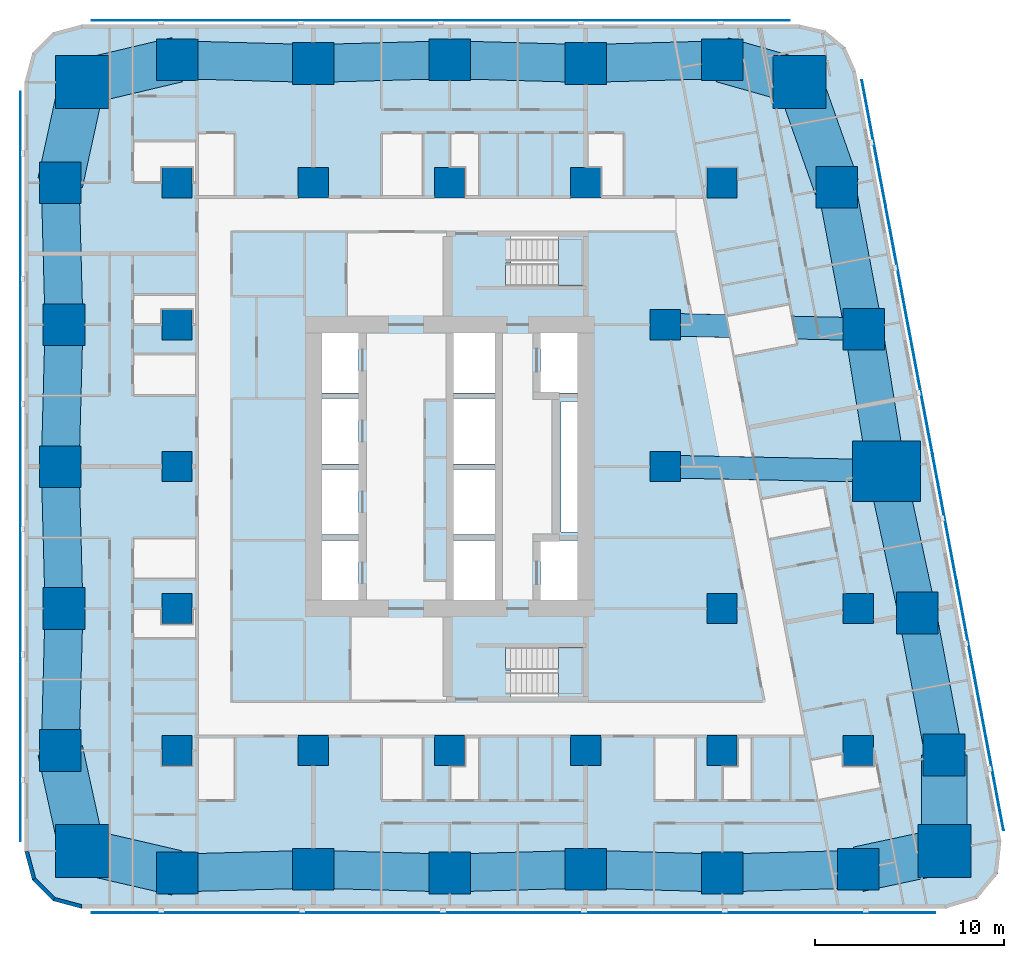
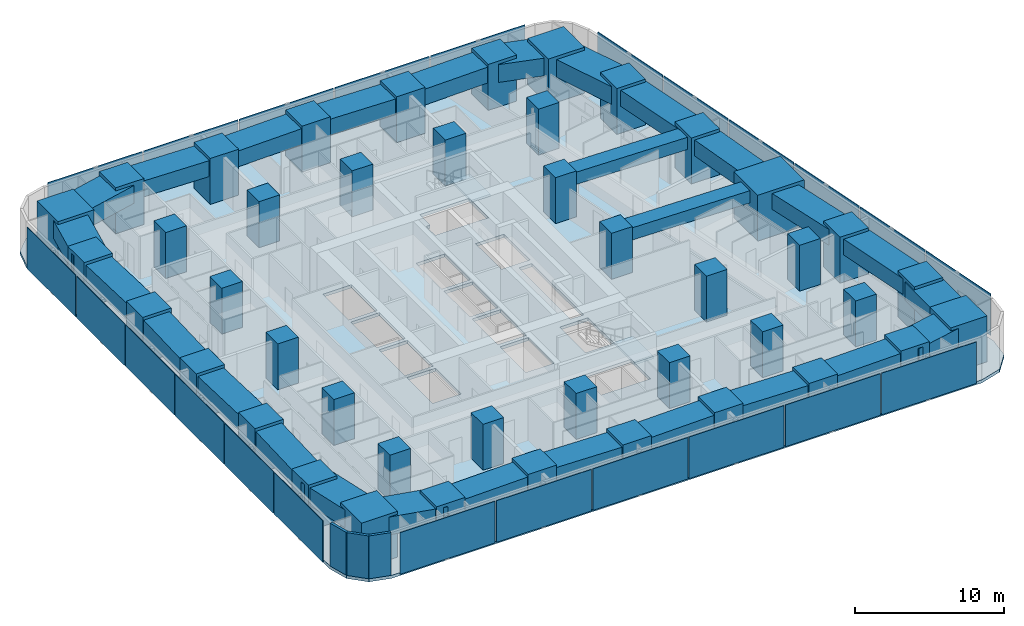
# One storey, part 1 of 15: 43 columns, 27 beams, 23 plates, 3 slabs, 3 walls, 2 elements without a shape of their own.
"""IFC4 building model written with IfcOpenShell, lengths in metres."""

from ifc_helpers import new_model, si_unit, direction, frame, frame_2d, origin, origin_2d, place, context, subcontext, project, spatial, polyline, rectangle, outline, extrude, material, layer, layer_set, material_profile, profile_set, type_object, element, aggregate, save


model = new_model("IFC4")

# Units and contexts
model_context = context("Model", 3, precision=1e-05, world=origin(), true_north=direction((0.0, 1.0)))
body_context = subcontext(model_context, "Body", "Model", "MODEL_VIEW")
ifc_project = project(units=[si_unit("LENGTHUNIT", "METRE"), si_unit("AREAUNIT", "SQUARE_METRE"), si_unit("VOLUMEUNIT", "CUBIC_METRE"), si_unit("PLANEANGLEUNIT", "RADIAN"), si_unit("MASSUNIT", "GRAM", prefix="KILO")], contexts=[model_context])

# Site, building, storey
site_placement = place(None, origin())
site = spatial("IfcSite", under=ifc_project, at=site_placement, CompositionType="ELEMENT")
building_placement = place(site_placement, origin())
building = spatial("IfcBuilding", under=site, at=building_placement, Name="Sheger Commons Tower", CompositionType="ELEMENT")
storey_placement = place(building_placement, frame((0.0, 0.0, 81.64990234375)))
storey = spatial("IfcBuildingStorey", under=building, at=storey_placement, Name="L20", CompositionType="ELEMENT", Elevation=81.64990234375)

# Columns
ifc_material_1 = material(Name="Concrete C50/60", Category="concrete")
ifc_material_profile_1 = material_profile(ifc_material_1, rectangle(XDim=3.60009765625, YDim=3.199951171875, at=origin_2d()), Name="RC 3600x3200")
ifc_profile_set_1 = profile_set([ifc_material_profile_1], Name="Concrete C50/60")
column_type_1 = type_object("IfcColumnType", Name="COLUMN PIER RC 3600x3200", PredefinedType="COLUMN", material=ifc_profile_set_1)
column_placement = place(storey_placement, frame((44.697021484375, 22.262939453125, 0.0), z_axis=(0.0, 0.0, 1.0), x_axis=(1.0, 0.0, 0.0)))
element("IfcColumn", 1, at=column_placement, inside=storey, type_object=column_type_1, Name="Pier 7/D+E/D L20", PredefinedType="COLUMN", context=body_context, shape_type="SweptSolid", body=[
    extrude(rectangle(XDim=3.60009765625, YDim=3.199951171875, at=origin_2d()), origin(), (0.0, 0.0, 1.0), 3.75),
])
ifc_material_2 = material(Name="Concrete C50/60", Category="concrete")
ifc_material_profile_2 = material_profile(ifc_material_2, rectangle(XDim=1.60009765625, YDim=1.60009765625, at=origin_2d()), Name="RC 1600x1600")
ifc_profile_set_2 = profile_set([ifc_material_profile_2], Name="Concrete C50/60")
column_type_2 = type_object("IfcColumnType", Name="COLUMN RC 1600x1600", PredefinedType="COLUMN", material=ifc_profile_set_2)
for number, where, z_axis, x_axis, name in (
    (2, (7.199951171875, 7.5, 0.0), (0.0, 0.0, 1.0), (1.0, 0.0, 0.0), "Column 2/B L20"),
    (3, (14.39990234375, 7.5, 0.0), (0.0, 0.0, 1.0), (1.0, 0.0, 0.0), "Column 3/B L20"),
    (4, (21.60009765625, 7.5, 0.0), (0.0, 0.0, 1.0), (1.0, 0.0, 0.0), "Column 4/B L20"),
    (5, (28.800048828125, 7.5, 0.0), (0.0, 0.0, 1.0), (1.0, 0.0, 0.0), "Column 5/B L20"),
    (6, (36.0, 7.5, 0.0), (0.0, 0.0, 1.0), (1.0, 0.0, 0.0), "Column 6/B L20"),
    (7, (43.199951171875, 7.5, 0.0), (0.0, 0.0, 1.0), (1.0, 0.0, 0.0), "Column 7/B L20"),
    (8, (7.199951171875, 15.0, 0.0), (0.0, 0.0, 1.0), (1.0, 0.0, 0.0), "Column 2/C L20"),
    (9, (36.0, 15.0, 0.0), (0.0, 0.0, 1.0), (1.0, 0.0, 0.0), "Column 6/C L20"),
    (10, (43.199951171875, 15.0, 0.0), (0.0, 0.0, 1.0), (1.0, 0.0, 0.0), "Column 7/C L20"),
    (11, (7.199951171875, 22.5, 0.0), (0.0, 0.0, 1.0), (1.0, 0.0, 0.0), "Column 2/D L20"),
    (12, (33.0, 22.5, 0.0), (0.0, 0.0, 1.0), (1.0, 0.0, 0.0), "Column 6-3000/D L20"),
    (13, (7.199951171875, 30.0, 0.0), (0.0, 0.0, 1.0), (1.0, 0.0, 0.0), "Column 2/E L20"),
    (14, (33.0, 30.0, 0.0), (0.0, 0.0, 1.0), (1.0, 0.0, 0.0), "Column 6-3000/E L20"),
    (15, (7.199951171875, 37.5, 0.0), (0.0, 0.0, 1.0), (1.0, 0.0, 0.0), "Column 2/F L20"),
    (16, (14.39990234375, 37.5, 0.0), (0.0, 0.0, 1.0), (1.0, 0.0, 0.0), "Column 3/F L20"),
    (17, (21.60009765625, 37.5, 0.0), (0.0, 0.0, 1.0), (1.0, 0.0, 0.0), "Column 4/F L20"),
    (18, (28.800048828125, 37.5, 0.0), (0.0, 0.0, 1.0), (1.0, 0.0, 0.0), "Column 5/F L20"),
    (19, (36.0, 37.5, 0.0), (0.0, 0.0, 1.0), (1.0, 0.0, 0.0), "Column 6/F L20"),
):
    element("IfcColumn", number, at=place(storey_placement, frame(where, z_axis=z_axis, x_axis=x_axis)), inside=storey, type_object=column_type_2, Name=name, PredefinedType="COLUMN", context=body_context, shape_type="SweptSolid", body=[
        extrude(rectangle(XDim=1.60009765625, YDim=1.60009765625, at=origin_2d()), origin(), (0.0, 0.0, 1.0), 3.75),
    ])
ifc_material_3 = material(Name="Concrete C50/60", Category="concrete")
ifc_material_profile_3 = material_profile(ifc_material_3, rectangle(XDim=2.199951171875, YDim=2.199951171875, at=origin_2d()), Name="RC 2200x2200")
ifc_profile_set_3 = profile_set([ifc_material_profile_3], Name="Concrete C50/60")
column_type_3 = type_object("IfcColumnType", Name="COLUMN RC 2200x2200", PredefinedType="COLUMN", material=ifc_profile_set_3)
for number, where, z_axis, x_axis, name in (
    (20, (7.199951171875, 1.02490234375, 0.0), (0.0, 0.0, 1.0), (1.0, 0.0, 0.0), "Column 2/A L20"),
    (21, (14.39990234375, 1.22509765625, 0.0), (0.0, 0.0, 1.0), (1.0, 0.0, 0.0), "Column 3/A L20"),
    (22, (21.60009765625, 1.02490234375, 0.0), (0.0, 0.0, 1.0), (1.0, 0.0, 0.0), "Column 4/A L20"),
    (23, (28.800048828125, 1.22509765625, 0.0), (0.0, 0.0, 1.0), (1.0, 0.0, 0.0), "Column 5/A L20"),
    (24, (36.0, 1.02490234375, 0.0), (0.0, 0.0, 1.0), (1.0, 0.0, 0.0), "Column 6/A L20"),
    (25, (43.199951171875, 1.22509765625, 0.0), (0.0, 0.0, 1.0), (1.0, 0.0, 0.0), "Column 7/A L20"),
    (26, (1.02490234375, 7.5, 0.0), (0.0, 0.0, 1.0), (1.0, 0.0, 0.0), "Column 1/B L20"),
    (27, (47.72998046875, 7.262939453125, 0.0), (0.0, 0.0, 1.0), (1.0, 0.0, 0.0), "Column E/B L20"),
    (28, (1.22509765625, 15.0, 0.0), (0.0, 0.0, 1.0), (1.0, 0.0, 0.0), "Column 1/C L20"),
    (29, (46.31396484375, 14.762939453125, 0.0), (0.0, 0.0, 1.0), (1.0, 0.0, 0.0), "Column E/C L20"),
    (30, (1.02490234375, 22.5, 0.0), (0.0, 0.0, 1.0), (1.0, 0.0, 0.0), "Column 1/D L20"),
    (31, (1.22509765625, 30.0, 0.0), (0.0, 0.0, 1.0), (1.0, 0.0, 0.0), "Column 1/E L20"),
    (32, (43.47998046875, 29.762939453125, 0.0), (0.0, 0.0, 1.0), (1.0, 0.0, 0.0), "Column E/E L20"),
    (33, (1.02490234375, 37.5, 0.0), (0.0, 0.0, 1.0), (1.0, 0.0, 0.0), "Column 1/F L20"),
    (34, (42.06396484375, 37.262939453125, 0.0), (0.0, 0.0, 1.0), (1.0, 0.0, 0.0), "Column E/F L20"),
    (35, (7.199951171875, 44.0, 0.0), (0.0, 0.0, 1.0), (1.0, 0.0, 0.0), "Column 2/G L20"),
    (36, (14.39990234375, 43.800048828125, 0.0), (0.0, 0.0, 1.0), (1.0, 0.0, 0.0), "Column 3/G L20"),
    (37, (21.60009765625, 44.0, 0.0), (0.0, 0.0, 1.0), (1.0, 0.0, 0.0), "Column 4/G L20"),
    (38, (28.800048828125, 43.800048828125, 0.0), (0.0, 0.0, 1.0), (1.0, 0.0, 0.0), "Column 5/G L20"),
    (39, (36.0, 44.0, 0.0), (0.0, 0.0, 1.0), (1.0, 0.0, 0.0), "Column 6/G L20"),
):
    element("IfcColumn", number, at=place(storey_placement, frame(where, z_axis=z_axis, x_axis=x_axis)), inside=storey, type_object=column_type_3, Name=name, PredefinedType="COLUMN", context=body_context, shape_type="SweptSolid", body=[
        extrude(rectangle(XDim=2.199951171875, YDim=2.199951171875, at=origin_2d()), origin(), (0.0, 0.0, 1.0), 3.75),
    ])
ifc_material_4 = material(Name="Concrete C50/60", Category="concrete")
ifc_material_profile_4 = material_profile(ifc_material_4, rectangle(XDim=2.800048828125, YDim=2.800048828125, at=origin_2d()), Name="RC 2800x2800")
ifc_profile_set_4 = profile_set([ifc_material_profile_4], Name="Concrete C50/60")
column_type_4 = type_object("IfcColumnType", Name="COLUMN RC 2800x2800", PredefinedType="COLUMN", material=ifc_profile_set_4)
for number, where, z_axis, x_axis, name in (
    (40, (2.18603515625, 2.18603515625, 0.0), (0.0, 0.0, 1.0), (1.0, 0.0, 0.0), "Column 0.630,0.630 L20"),
    (41, (47.748046875, 2.197021484375, 0.0), (0.0, 0.0, 1.0), (1.0, 0.0, 0.0), "Column 49.461,0.778 L20"),
    (42, (2.18603515625, 42.81396484375, 0.0), (0.0, 0.0, 1.0), (1.0, 0.0, 0.0), "Column 0.630,44.370 L20"),
    (43, (40.10205078125, 42.830078125, 0.0), (0.0, 0.0, 1.0), (1.0, 0.0, 0.0), "Column 41.490,44.505 L20"),
):
    element("IfcColumn", number, at=place(storey_placement, frame(where, z_axis=z_axis, x_axis=x_axis)), inside=storey, type_object=column_type_4, Name=name, PredefinedType="COLUMN", context=body_context, shape_type="SweptSolid", body=[
        extrude(rectangle(XDim=2.800048828125, YDim=2.800048828125, at=origin_2d()), origin(), (0.0, 0.0, 1.0), 3.75),
    ])

# Beams
ifc_material_5 = material(Name="Concrete C50/60", Category="concrete")
ifc_material_profile_5 = material_profile(ifc_material_5, rectangle(XDim=1.199951171875, YDim=1.0, at=origin_2d()), Name="RC 1200x1000")
ifc_profile_set_5 = profile_set([ifc_material_profile_5], Name="Concrete C50/60")
beam_type_1 = type_object("IfcBeamType", Name="BEAM RC 1200x1000", PredefinedType="BEAM", material=ifc_profile_set_5)
beam_1_placement = place(storey_placement, frame((33.0, 22.5, 3.0), z_axis=(0.999794692776, -0.02026258368, 0.0), x_axis=(0.02026258368, 0.999794692776, 0.0)))
element("IfcBeam", 44, at=beam_1_placement, inside=storey, type_object=beam_type_1, Name="Beam 6-3000/D-7/D under L21", PredefinedType="BEAM", context=body_context, shape_type="SweptSolid", body=[
    extrude(rectangle(XDim=1.199951171875, YDim=1.0, at=origin_2d()), origin(), (0.0, 0.0, 1.0), 11.699462890625),
])
beam_2_placement = place(storey_placement, frame((33.0, 30.0, 3.0), z_axis=(0.999744258625, -0.022614538395, 0.0), x_axis=(0.022614538395, 0.999744258625, 0.0)))
element("IfcBeam", 45, at=beam_2_placement, inside=storey, type_object=beam_type_1, Name="Beam 6-3000/E-E/E under L21", PredefinedType="BEAM", context=body_context, shape_type="SweptSolid", body=[
    extrude(rectangle(XDim=1.199951171875, YDim=1.0, at=origin_2d()), origin(), (0.0, 0.0, 1.0), 10.482666015625),
])
ifc_material_6 = material(Name="Concrete C50/60", Category="concrete")
ifc_material_profile_6 = material_profile(ifc_material_6, rectangle(XDim=2.0, YDim=1.300048828125, at=origin_2d()), Name="RC 2000x1300")
ifc_profile_set_6 = profile_set([ifc_material_profile_6], Name="Concrete C50/60")
beam_type_2 = type_object("IfcBeamType", Name="SPANDREL RC 2000x1300", PredefinedType="SPANDREL", material=ifc_profile_set_6)
beam_3_placement = place(storey_placement, frame((7.199951171875, 1.02490234375, 2.85009765625), z_axis=(0.9996136624, 0.027794350926, 0.0), x_axis=(-0.027794350926, 0.9996136624, 0.0)))
element("IfcBeam", 46, at=beam_3_placement, inside=storey, type_object=beam_type_2, Name="Beam 2/A-3/A under L21", PredefinedType="SPANDREL", context=body_context, shape_type="SweptSolid", body=[
    extrude(rectangle(XDim=2.0, YDim=1.300048828125, at=origin_2d()), origin(), (0.0, 0.0, 1.0), 7.20263671875),
])
beam_4_placement = place(storey_placement, frame((14.39990234375, 1.22509765625, 2.85009765625), z_axis=(0.999613688584, -0.027793409217, 0.0), x_axis=(0.027793409217, 0.999613688584, 0.0)))
element("IfcBeam", 47, at=beam_4_placement, inside=storey, type_object=beam_type_2, Name="Beam 3/A-4/A under L21", PredefinedType="SPANDREL", context=body_context, shape_type="SweptSolid", body=[
    extrude(rectangle(XDim=2.0, YDim=1.300048828125, at=origin_2d()), origin(), (0.0, 0.0, 1.0), 7.202880859375),
])
for number, where, z_axis, x_axis, name in (
    (48, (21.60009765625, 1.02490234375, 2.85009765625), (0.9996136624, 0.027794350926, 0.0), (-0.027794350926, 0.9996136624, 0.0), "Beam 4/A-5/A under L21"),
    (49, (28.800048828125, 1.22509765625, 2.85009765625), (0.9996136624, -0.027794350926, 0.0), (0.027794350926, 0.9996136624, 0.0), "Beam 5/A-6/A under L21"),
    (50, (36.0, 1.02490234375, 2.85009765625), (0.9996136624, 0.027794350926, 0.0), (-0.027794350926, 0.9996136624, 0.0), "Beam 6/A-7/A under L21"),
):
    element("IfcBeam", number, at=place(storey_placement, frame(where, z_axis=z_axis, x_axis=x_axis)), inside=storey, type_object=beam_type_2, Name=name, PredefinedType="SPANDREL", context=body_context, shape_type="SweptSolid", body=[
        extrude(rectangle(XDim=2.0, YDim=1.300048828125, at=origin_2d()), origin(), (0.0, 0.0, 1.0), 7.20263671875),
    ])
beam_5_placement = place(storey_placement, frame((47.72998046875, 7.262939453125, 2.85009765625), z_axis=(-0.18552441405, 0.982639655108, 0.0), x_axis=(-0.982639655108, -0.18552441405, 0.0)))
element("IfcBeam", 51, at=beam_5_placement, inside=storey, type_object=beam_type_2, Name="Beam E/B-E/C under L21", PredefinedType="SPANDREL", context=body_context, shape_type="SweptSolid", body=[
    extrude(rectangle(XDim=2.0, YDim=1.300048828125, at=origin_2d()), origin(), (0.0, 0.0, 1.0), 7.632568359375),
])
beam_6_placement = place(storey_placement, frame((46.31396484375, 14.762939453125, 2.85009765625), z_axis=(-0.210750229323, 0.977539943348, 0.0), x_axis=(-0.977539943348, -0.210750229323, 0.0)))
element("IfcBeam", 52, at=beam_6_placement, inside=storey, type_object=beam_type_2, Name="Beam E/C-E/D under L21", PredefinedType="SPANDREL", context=body_context, shape_type="SweptSolid", body=[
    extrude(rectangle(XDim=2.0, YDim=1.300048828125, at=origin_2d()), origin(), (0.0, 0.0, 1.0), 7.67236328125),
])
beam_7_placement = place(storey_placement, frame((44.697021484375, 22.262939453125, 2.85009765625), z_axis=(-0.160176929512, 0.987088319884, 0.0), x_axis=(-0.987088319884, -0.160176929512, 0.0)))
element("IfcBeam", 53, at=beam_7_placement, inside=storey, type_object=beam_type_2, Name="Beam E/D-E/E under L21", PredefinedType="SPANDREL", context=body_context, shape_type="SweptSolid", body=[
    extrude(rectangle(XDim=2.0, YDim=1.300048828125, at=origin_2d()), origin(), (0.0, 0.0, 1.0), 7.59814453125),
])
beam_8_placement = place(storey_placement, frame((43.47998046875, 29.762939453125, 2.85009765625), z_axis=(-0.18552441405, 0.982639655108, 0.0), x_axis=(-0.982639655108, -0.18552441405, 0.0)))
element("IfcBeam", 54, at=beam_8_placement, inside=storey, type_object=beam_type_2, Name="Beam E/E-E/F under L21", PredefinedType="SPANDREL", context=body_context, shape_type="SweptSolid", body=[
    extrude(rectangle(XDim=2.0, YDim=1.300048828125, at=origin_2d()), origin(), (0.0, 0.0, 1.0), 7.632568359375),
])
for number, where, z_axis, x_axis, name in (
    (55, (36.0, 44.0, 2.85009765625), (-0.999614603568, -0.027760481514, 0.0), (0.027760481514, -0.999614603568, 0.0), "Beam 6/G-5/G under L21"),
    (56, (28.800048828125, 43.800048828125, 2.85009765625), (-0.999614603568, 0.027760481514, 0.0), (-0.027760481514, -0.999614603568, 0.0), "Beam 5/G-4/G under L21"),
):
    element("IfcBeam", number, at=place(storey_placement, frame(where, z_axis=z_axis, x_axis=x_axis)), inside=storey, type_object=beam_type_2, Name=name, PredefinedType="SPANDREL", context=body_context, shape_type="SweptSolid", body=[
        extrude(rectangle(XDim=2.0, YDim=1.300048828125, at=origin_2d()), origin(), (0.0, 0.0, 1.0), 7.20263671875),
    ])
beam_9_placement = place(storey_placement, frame((21.60009765625, 44.0, 2.85009765625), z_axis=(-0.999614629688, -0.027759540951, 0.0), x_axis=(0.027759540951, -0.999614629688, 0.0)))
element("IfcBeam", 57, at=beam_9_placement, inside=storey, type_object=beam_type_2, Name="Beam 4/G-3/G under L21", PredefinedType="SPANDREL", context=body_context, shape_type="SweptSolid", body=[
    extrude(rectangle(XDim=2.0, YDim=1.300048828125, at=origin_2d()), origin(), (0.0, 0.0, 1.0), 7.202880859375),
])
beam_10_placement = place(storey_placement, frame((14.39990234375, 43.800048828125, 2.85009765625), z_axis=(-0.999614603568, 0.027760481514, 0.0), x_axis=(-0.027760481514, -0.999614603568, 0.0)))
element("IfcBeam", 58, at=beam_10_placement, inside=storey, type_object=beam_type_2, Name="Beam 3/G-2/G under L21", PredefinedType="SPANDREL", context=body_context, shape_type="SweptSolid", body=[
    extrude(rectangle(XDim=2.0, YDim=1.300048828125, at=origin_2d()), origin(), (0.0, 0.0, 1.0), 7.20263671875),
])
for number, where, z_axis, x_axis, name in (
    (59, (1.02490234375, 37.5, 2.85009765625), (0.026683204125, -0.999643939919, 0.0), (0.999643939919, 0.026683204125, 0.0), "Beam 1/F-1/E under L21"),
    (60, (1.22509765625, 30.0, 2.85009765625), (-0.026683204125, -0.999643939919, 0.0), (0.999643939919, -0.026683204125, 0.0), "Beam 1/E-1/D under L21"),
    (61, (1.02490234375, 22.5, 2.85009765625), (0.026683204125, -0.999643939919, 0.0), (0.999643939919, 0.026683204125, 0.0), "Beam 1/D-1/C under L21"),
    (62, (1.22509765625, 15.0, 2.85009765625), (-0.026683204125, -0.999643939919, 0.0), (0.999643939919, -0.026683204125, 0.0), "Beam 1/C-1/B under L21"),
):
    element("IfcBeam", number, at=place(storey_placement, frame(where, z_axis=z_axis, x_axis=x_axis)), inside=storey, type_object=beam_type_2, Name=name, PredefinedType="SPANDREL", context=body_context, shape_type="SweptSolid", body=[
        extrude(rectangle(XDim=2.0, YDim=1.300048828125, at=origin_2d()), origin(), (0.0, 0.0, 1.0), 7.502685546875),
    ])
ifc_material_7 = material(Name="Concrete C50/60", Category="concrete")
ifc_material_profile_7 = material_profile(ifc_material_7, rectangle(XDim=2.39990234375, YDim=1.449951171875, at=origin_2d()), Name="RC 2400x1450")
ifc_profile_set_7 = profile_set([ifc_material_profile_7], Name="Concrete C50/60")
beam_type_3 = type_object("IfcBeamType", Name="SPANDREL RC 2400x1450", PredefinedType="SPANDREL", material=ifc_profile_set_7)
beam_11_placement = place(storey_placement, frame((2.18603515625, 2.18603515625, 2.775146484375), z_axis=(0.974217413499, -0.225611239159, 0.0), x_axis=(0.225611239159, 0.974217413499, 0.0)))
element("IfcBeam", 63, at=beam_11_placement, inside=storey, type_object=beam_type_3, Name="Beam 0.630,0.630-2/A under L21", PredefinedType="SPANDREL", context=body_context, shape_type="SweptSolid", body=[
    extrude(rectangle(XDim=2.39990234375, YDim=1.449951171875, at=origin_2d()), origin(), (0.0, 0.0, 1.0), 5.146728515625),
])
beam_12_placement = place(storey_placement, frame((43.199951171875, 1.22509765625, 2.775146484375), z_axis=(0.977919796671, 0.208980552394, 0.0), x_axis=(-0.208980552394, 0.977919796671, 0.0)))
element("IfcBeam", 64, at=beam_12_placement, inside=storey, type_object=beam_type_3, Name="Beam 7/A-49.461,0.778 under L21", PredefinedType="SPANDREL", context=body_context, shape_type="SweptSolid", body=[
    extrude(rectangle(XDim=2.39990234375, YDim=1.449951171875, at=origin_2d()), origin(), (0.0, 0.0, 1.0), 4.65087890625),
])
beam_13_placement = place(storey_placement, frame((47.748046875, 2.197021484375, 2.775146484375), z_axis=(-0.003566242382, 0.999993640937, 0.0), x_axis=(-0.999993640937, -0.003566242382, 0.0)))
element("IfcBeam", 65, at=beam_13_placement, inside=storey, type_object=beam_type_3, Name="Beam 49.461,0.778-E/B under L21", PredefinedType="SPANDREL", context=body_context, shape_type="SweptSolid", body=[
    extrude(rectangle(XDim=2.39990234375, YDim=1.449951171875, at=origin_2d()), origin(), (0.0, 0.0, 1.0), 5.06591796875),
])
beam_14_placement = place(storey_placement, frame((42.06396484375, 37.262939453125, 2.775146484375), z_axis=(-0.332374403357, 0.943147526102, 0.0), x_axis=(-0.943147526102, -0.332374403357, 0.0)))
element("IfcBeam", 66, at=beam_14_placement, inside=storey, type_object=beam_type_3, Name="Beam E/F-41.490,44.505 under L21", PredefinedType="SPANDREL", context=body_context, shape_type="SweptSolid", body=[
    extrude(rectangle(XDim=2.39990234375, YDim=1.449951171875, at=origin_2d()), origin(), (0.0, 0.0, 1.0), 5.90283203125),
])
beam_15_placement = place(storey_placement, frame((40.10205078125, 42.830078125, 2.775146484375), z_axis=(-0.961653428129, 0.274267541221, 0.0), x_axis=(-0.274267541221, -0.961653428129, 0.0)))
element("IfcBeam", 67, at=beam_15_placement, inside=storey, type_object=beam_type_3, Name="Beam 41.490,44.505-6/G under L21", PredefinedType="SPANDREL", context=body_context, shape_type="SweptSolid", body=[
    extrude(rectangle(XDim=2.39990234375, YDim=1.449951171875, at=origin_2d()), origin(), (0.0, 0.0, 1.0), 4.265625),
])
beam_16_placement = place(storey_placement, frame((7.199951171875, 44.0, 2.775146484375), z_axis=(-0.97314428949, -0.230195985701, 0.0), x_axis=(0.230195985701, -0.97314428949, 0.0)))
element("IfcBeam", 68, at=beam_16_placement, inside=storey, type_object=beam_type_3, Name="Beam 2/G-0.630,44.370 under L21", PredefinedType="SPANDREL", context=body_context, shape_type="SweptSolid", body=[
    extrude(rectangle(XDim=2.39990234375, YDim=1.449951171875, at=origin_2d()), origin(), (0.0, 0.0, 1.0), 5.15234375),
])
for number, where, z_axis, x_axis, name in (
    (69, (2.18603515625, 42.81396484375, 2.775146484375), (-0.213469314652, -0.976949769283, 0.0), (0.976949769283, -0.213469314652, 0.0), "Beam 0.630,44.370-1/F under L21"),
    (70, (1.02490234375, 7.5, 2.775146484375), (0.213469314652, -0.976949769283, 0.0), (0.976949769283, 0.213469314652, 0.0), "Beam 1/B-0.630,0.630 under L21"),
):
    element("IfcBeam", number, at=place(storey_placement, frame(where, z_axis=z_axis, x_axis=x_axis)), inside=storey, type_object=beam_type_3, Name=name, PredefinedType="SPANDREL", context=body_context, shape_type="SweptSolid", body=[
        extrude(rectangle(XDim=2.39990234375, YDim=1.449951171875, at=origin_2d()), origin(), (0.0, 0.0, 1.0), 5.439453125),
    ])

# Slab
ifc_material_8 = material(Name="Concrete C35/45", Category="concrete")
ifc_layer_1 = layer(ifc_material_8, 0.25)
ifc_layer_set_1 = layer_set([ifc_layer_1], Name="SLAB FLOOR 250")
slab_type_1 = type_object("IfcSlabType", Name="SLAB FLOOR 250", PredefinedType="FLOOR", material=ifc_layer_set_1)
slab_1_placement = place(storey_placement, frame((0.0, 0.0, -0.25)))
element("IfcSlab", 71, at=slab_1_placement, inside=storey, type_object=slab_type_1, Name="L20 floor slab", PredefinedType="FLOOR", context=body_context, shape_type="SweptSolid", body=[
    extrude(outline(polyline([(-0.85009765625, 2.14990234375), (-0.447998046875, 0.64990234375), (0.64990234375, -0.447998046875), (2.14990234375, -0.85009765625), (47.805908203125, -0.85009765625), (49.465087890625, -0.35009765625), (50.570068359375, 0.98388671875), (50.75390625, 2.70703125), (43.06591796875, 43.406982421875), (42.509033203125, 44.660888671875), (41.452880859375, 45.535888671875), (40.117919921875, 45.85009765625), (2.14990234375, 45.85009765625), (0.64990234375, 45.447998046875), (-0.447998046875, 44.35009765625), (-0.85009765625, 42.85009765625), (-0.85009765625, 2.14990234375)]), holes=[polyline([(24.85009765625, 10.35009765625), (28.64990234375, 10.35009765625), (28.64990234375, 12.949951171875), (24.551025390625, 12.949951171875), (24.551025390625, 11.75), (24.85009765625, 11.75), (24.85009765625, 10.35009765625)]), polyline([(24.551025390625, 32.050048828125), (28.64990234375, 32.050048828125), (28.64990234375, 34.64990234375), (24.85009765625, 34.64990234375), (24.85009765625, 33.25), (24.551025390625, 33.25), (24.551025390625, 32.050048828125)]), polyline([(26.39990234375, 15.14990234375), (28.60009765625, 15.14990234375), (28.60009765625, 18.60009765625), (26.39990234375, 18.60009765625), (26.39990234375, 15.14990234375)]), polyline([(26.39990234375, 26.39990234375), (28.60009765625, 26.39990234375), (28.60009765625, 29.85009765625), (26.39990234375, 29.85009765625), (26.39990234375, 26.39990234375)]), polyline([(14.60009765625, 15.14990234375), (16.800048828125, 15.14990234375), (16.800048828125, 18.60009765625), (14.60009765625, 18.60009765625), (14.60009765625, 15.14990234375)]), polyline([(14.60009765625, 18.89990234375), (16.800048828125, 18.89990234375), (16.800048828125, 22.35009765625), (14.60009765625, 22.35009765625), (14.60009765625, 18.89990234375)]), polyline([(14.60009765625, 22.64990234375), (16.800048828125, 22.64990234375), (16.800048828125, 26.10009765625), (14.60009765625, 26.10009765625), (14.60009765625, 22.64990234375)]), polyline([(14.60009765625, 26.39990234375), (16.800048828125, 26.39990234375), (16.800048828125, 29.85009765625), (14.60009765625, 29.85009765625), (14.60009765625, 26.39990234375)]), polyline([(21.800048828125, 15.14990234375), (24.0, 15.14990234375), (24.0, 18.60009765625), (21.800048828125, 18.60009765625), (21.800048828125, 15.14990234375)]), polyline([(21.800048828125, 18.89990234375), (24.0, 18.89990234375), (24.0, 22.35009765625), (21.800048828125, 22.35009765625), (21.800048828125, 18.89990234375)]), polyline([(21.800048828125, 22.64990234375), (24.0, 22.64990234375), (24.0, 26.10009765625), (21.800048828125, 26.10009765625), (21.800048828125, 22.64990234375)]), polyline([(21.800048828125, 26.39990234375), (24.0, 26.39990234375), (24.0, 29.85009765625), (21.800048828125, 29.85009765625), (21.800048828125, 26.39990234375)]), polyline([(27.5, 19.050048828125), (28.5, 19.050048828125), (28.5, 25.949951171875), (27.5, 25.949951171875), (27.5, 19.050048828125)])]), origin(), (0.0, 0.0, 1.0), 0.25),
])

# Plates
ifc_material_9 = material(Name="Perforated black anodised aluminium screen", Category="aluminium")
ifc_layer_2 = layer(ifc_material_9, 0.050048828125)
ifc_layer_set_2 = layer_set([ifc_layer_2], Name="SOLAR SCREEN SCREEN-1")
plate_type = type_object("IfcPlateType", Name="SOLAR SCREEN SCREEN-1", PredefinedType="USERDEFINED", material=ifc_layer_set_2)
for number, where, z_axis, x_axis, name in (
    (72, (6.37109375, -1.074951171875, 0.050048828125), (0.0, 0.0, 1.0), (1.0, 0.0, 0.0), "Perforated solar screen panel"),
    (73, (13.81396484375, -1.074951171875, 0.050048828125), (0.0, 0.0, 1.0), (1.0, 0.0, 0.0), "Perforated solar screen panel"),
    (74, (21.257080078125, -1.074951171875, 0.050048828125), (0.0, 0.0, 1.0), (1.0, 0.0, 0.0), "Perforated solar screen panel"),
    (75, (28.698974609375, -1.074951171875, 0.050048828125), (0.0, 0.0, 1.0), (1.0, 0.0, 0.0), "Perforated solar screen panel"),
    (76, (36.14208984375, -1.074951171875, 0.050048828125), (0.0, 0.0, 1.0), (1.0, 0.0, 0.0), "Perforated solar screen panel"),
    (77, (43.5849609375, -1.074951171875, 0.050048828125), (0.0, 0.0, 1.0), (1.0, 0.0, 0.0), "Perforated solar screen panel"),
):
    element("IfcPlate", number, at=place(storey_placement, frame(where, z_axis=z_axis, x_axis=x_axis)), inside=storey, type_object=plate_type, Name=name, ObjectType="SCREEN", PredefinedType="USERDEFINED", context=body_context, shape_type="SweptSolid", body=[
        extrude(rectangle(XDim=7.343017578125, YDim=0.050048828125, at=origin_2d()), origin(), (0.0, 0.0, 1.0), 3.39990234375),
    ])
for number, where, z_axis, x_axis, name in (
    (78, (50.257080078125, 6.550048828125, 0.050048828125), (0.0, 0.0, 1.0), (-0.185615165645, 0.982622516678, 0.0), "Perforated solar screen panel"),
    (79, (49.007080078125, 13.1689453125, 0.050048828125), (0.0, 0.0, 1.0), (-0.185615165645, 0.982622516678, 0.0), "Perforated solar screen panel"),
    (80, (47.756103515625, 19.7890625, 0.050048828125), (0.0, 0.0, 1.0), (-0.185615165645, 0.982622516678, 0.0), "Perforated solar screen panel"),
    (81, (46.506103515625, 26.408935546875, 0.050048828125), (0.0, 0.0, 1.0), (-0.185615165645, 0.982622516678, 0.0), "Perforated solar screen panel"),
    (82, (45.2548828125, 33.028076171875, 0.050048828125), (0.0, 0.0, 1.0), (-0.185615165645, 0.982622516678, 0.0), "Perforated solar screen panel"),
    (83, (44.0048828125, 39.64794921875, 0.050048828125), (0.0, 0.0, 1.0), (-0.185615165645, 0.982622516678, 0.0), "Perforated solar screen panel"),
):
    element("IfcPlate", number, at=place(storey_placement, frame(where, z_axis=z_axis, x_axis=x_axis)), inside=storey, type_object=plate_type, Name=name, ObjectType="SCREEN", PredefinedType="USERDEFINED", context=body_context, shape_type="SweptSolid", body=[
        extrude(rectangle(XDim=6.636962890625, YDim=0.050048828125, at=origin_2d()), origin(), (0.0, 0.0, 1.0), 3.39990234375),
    ])
for number, where, z_axis, x_axis, name in (
    (84, (35.9208984375, 46.074951171875, 0.050048828125), (0.0, 0.0, 1.0), (-1.0, 0.0, 0.0), "Perforated solar screen panel"),
    (85, (28.528076171875, 46.074951171875, 0.050048828125), (0.0, 0.0, 1.0), (-1.0, 0.0, 0.0), "Perforated solar screen panel"),
    (86, (21.134033203125, 46.074951171875, 0.050048828125), (0.0, 0.0, 1.0), (-1.0, 0.0, 0.0), "Perforated solar screen panel"),
    (87, (13.739990234375, 46.074951171875, 0.050048828125), (0.0, 0.0, 1.0), (-1.0, 0.0, 0.0), "Perforated solar screen panel"),
    (88, (6.346923828125, 46.074951171875, 0.050048828125), (0.0, 0.0, 1.0), (-1.0, 0.0, 0.0), "Perforated solar screen panel"),
):
    element("IfcPlate", number, at=place(storey_placement, frame(where, z_axis=z_axis, x_axis=x_axis)), inside=storey, type_object=plate_type, Name=name, ObjectType="SCREEN", PredefinedType="USERDEFINED", context=body_context, shape_type="SweptSolid", body=[
        extrude(rectangle(XDim=7.2939453125, YDim=0.050048828125, at=origin_2d()), origin(), (0.0, 0.0, 1.0), 3.39990234375),
    ])
for number, where, z_axis, x_axis, name in (
    (89, (-1.074951171875, 39.0419921875, 0.050048828125), (0.0, 0.0, 1.0), (0.0, -1.0, 0.0), "Perforated solar screen panel"),
    (90, (-1.074951171875, 32.425048828125, 0.050048828125), (0.0, 0.0, 1.0), (0.0, -1.0, 0.0), "Perforated solar screen panel"),
    (91, (-1.074951171875, 25.80810546875, 0.050048828125), (0.0, 0.0, 1.0), (0.0, -1.0, 0.0), "Perforated solar screen panel"),
    (92, (-1.074951171875, 19.19189453125, 0.050048828125), (0.0, 0.0, 1.0), (0.0, -1.0, 0.0), "Perforated solar screen panel"),
    (93, (-1.074951171875, 12.574951171875, 0.050048828125), (0.0, 0.0, 1.0), (0.0, -1.0, 0.0), "Perforated solar screen panel"),
    (94, (-1.074951171875, 5.9580078125, 0.050048828125), (0.0, 0.0, 1.0), (0.0, -1.0, 0.0), "Perforated solar screen panel"),
):
    element("IfcPlate", number, at=place(storey_placement, frame(where, z_axis=z_axis, x_axis=x_axis)), inside=storey, type_object=plate_type, Name=name, ObjectType="SCREEN", PredefinedType="USERDEFINED", context=body_context, shape_type="SweptSolid", body=[
        extrude(rectangle(XDim=6.51708984375, YDim=0.050048828125, at=origin_2d()), origin(), (0.0, 0.0, 1.0), 3.39990234375),
    ])

# Stair, slab
ifc_material_10 = material(Name="Concrete C35/45", Category="concrete")
stair_type = type_object("IfcStairType", Name="HALF-TURN STAIR 1200 RISE 3750", PredefinedType="HALF_TURN_STAIR", material=ifc_material_10)
stair_1_placement = place(storey_placement, origin())
stair_1 = element("IfcStair", 95, at=stair_1_placement, inside=storey, type_object=stair_type, Name="Stair S1 L20", PredefinedType="HALF_TURN_STAIR")
ifc_material_11 = material(Name="Concrete C35/45", Category="concrete")
ifc_layer_3 = layer(ifc_material_11, 0.199951171875)
ifc_layer_set_3 = layer_set([ifc_layer_3], Name="STAIR LANDING 200")
slab_type_2 = type_object("IfcSlabType", Name="STAIR LANDING 200", PredefinedType="LANDING", material=ifc_layer_set_3)
slab_2_placement = place(storey_placement, frame((0.0, 0.0, 1.675048828125)))
slab_2 = element("IfcSlab", 96, at=slab_2_placement, type_object=slab_type_2, Name="S1 landing 1", PredefinedType="LANDING", context=body_context, shape_type="SweptSolid", body=[
    extrude(outline(polyline([(27.35009765625, 10.199951171875), (28.800048828125, 10.199951171875), (28.800048828125, 12.949951171875), (27.35009765625, 12.949951171875), (27.35009765625, 10.199951171875)])), origin(), (0.0, 0.0, 1.0), 0.199951171875),
])
aggregate(stair_1, [slab_2])

stair_2_placement = place(storey_placement, origin())
stair_2 = element("IfcStair", 97, at=stair_2_placement, inside=storey, type_object=stair_type, Name="Stair S2 L20", PredefinedType="HALF_TURN_STAIR")
slab_3_placement = place(storey_placement, frame((0.0, 0.0, 1.675048828125)))
slab_3 = element("IfcSlab", 98, at=slab_3_placement, type_object=slab_type_2, Name="S2 landing 1", PredefinedType="LANDING", context=body_context, shape_type="SweptSolid", body=[
    extrude(outline(polyline([(27.35009765625, 32.050048828125), (28.800048828125, 32.050048828125), (28.800048828125, 34.800048828125), (27.35009765625, 34.800048828125), (27.35009765625, 32.050048828125)])), origin(), (0.0, 0.0, 1.0), 0.199951171875),
])
aggregate(stair_2, [slab_3])

# Walls
ifc_material_12 = material(Name="Rendered concrete block masonry, dark grey", Category="masonry")
ifc_layer_4 = layer(ifc_material_12, 0.199951171875)
ifc_layer_set_4 = layer_set([ifc_layer_4], Name="FACADE WALL 200")
wall_type = type_object("IfcWallType", Name="FACADE WALL 200", PredefinedType="SOLIDWALL", material=ifc_layer_set_4)
wall_1_placement = place(storey_placement, frame((-0.75, 2.1630859375, 0.0), z_axis=(0.0, 0.0, 1.0), x_axis=(0.259168954497, -0.965832000415, 0.0)))
element("IfcWall", 99, at=wall_1_placement, inside=storey, type_object=wall_type, Name="Facade wall L20", PredefinedType="SOLIDWALL", context=body_context, shape_type="SweptSolid", body=[
    extrude(rectangle(XDim=1.512939453125, YDim=0.199951171875, at=frame_2d((0.75634765625, 0.0))), origin(), (0.0, 0.0, 1.0), 3.5),
])
wall_2_placement = place(storey_placement, frame((-0.35791015625, 0.701904296875, 0.0), z_axis=(0.0, 0.0, 1.0), x_axis=(0.707106781187, -0.707106781187, 0.0)))
element("IfcWall", 100, at=wall_2_placement, inside=storey, type_object=wall_type, Name="Facade wall L20", PredefinedType="SOLIDWALL", context=body_context, shape_type="SweptSolid", body=[
    extrude(rectangle(XDim=1.498779296875, YDim=0.199951171875, at=frame_2d((0.74951171875, 0.0))), origin(), (0.0, 0.0, 1.0), 3.5),
])
wall_3_placement = place(storey_placement, frame((0.701904296875, -0.35791015625, 0.0), z_axis=(0.0, 0.0, 1.0), x_axis=(0.965832000415, -0.259168954497, 0.0)))
element("IfcWall", 101, at=wall_3_placement, inside=storey, type_object=wall_type, Name="Facade wall L20", PredefinedType="SOLIDWALL", context=body_context, shape_type="SweptSolid", body=[
    extrude(rectangle(XDim=1.512939453125, YDim=0.199951171875, at=frame_2d((0.75634765625, 0.0))), origin(), (0.0, 0.0, 1.0), 3.5),
])

save(model, "model.ifc")
